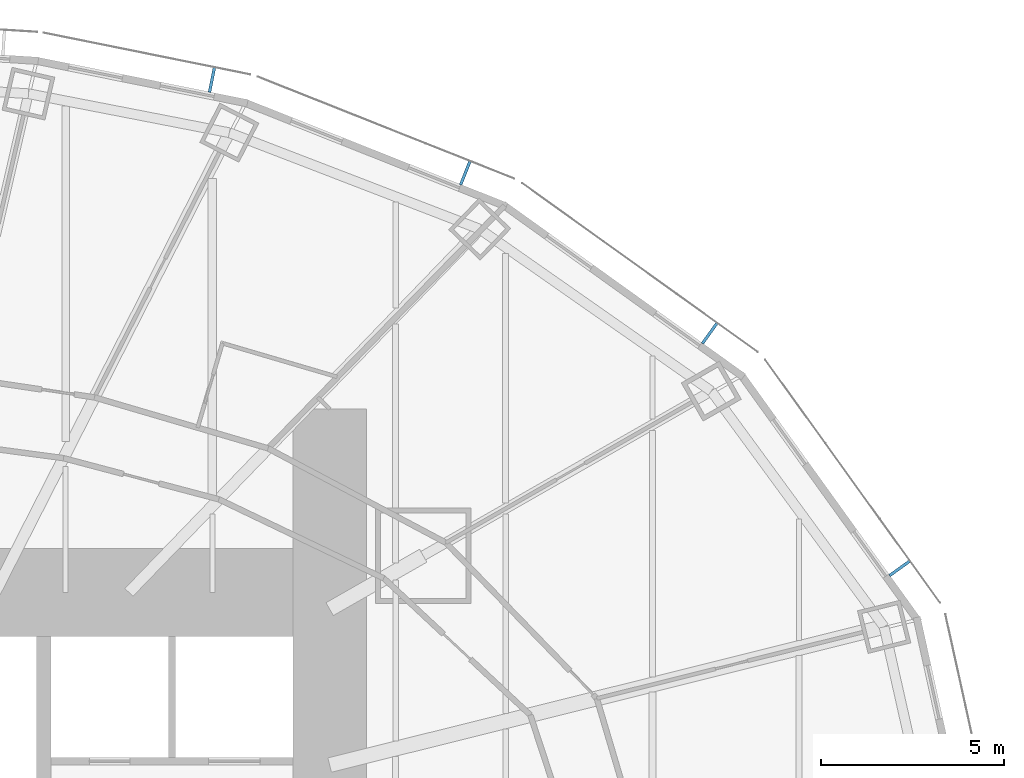
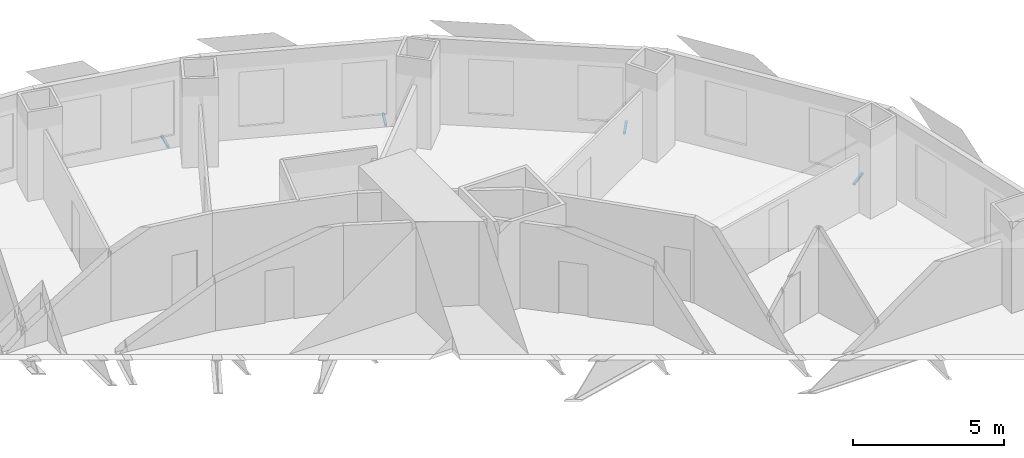
# One storey, part 12 of 15: 4 discrete accessories.
"""IFC4 building model written with IfcOpenShell, lengths in metres."""

from ifc_helpers import new_model, si_unit, direction, frame, origin, origin_2d, place, context, subcontext, project, spatial, rectangle, extrude, element, save


model = new_model("IFC4")

# Units and contexts
model_context = context("Model", 3, precision=1e-05, world=origin(), true_north=direction((0.0, 1.0)))
body_context = subcontext(model_context, "Body", "Model", "MODEL_VIEW")
ifc_project = project(units=[si_unit("LENGTHUNIT", "METRE"), si_unit("AREAUNIT", "SQUARE_METRE"), si_unit("VOLUMEUNIT", "CUBIC_METRE"), si_unit("PLANEANGLEUNIT", "RADIAN"), si_unit("MASSUNIT", "GRAM", prefix="KILO")], contexts=[model_context])

# Site, building, storey
site_placement = place(None, origin())
site = spatial("IfcSite", under=ifc_project, at=site_placement, CompositionType="ELEMENT")
building_placement = place(site_placement, origin())
building = spatial("IfcBuilding", under=site, at=building_placement, Name="Lantaw Convention Tower", CompositionType="ELEMENT")
storey_placement = place(building_placement, frame((0.0, 0.0, 80.199951171875)))
storey = spatial("IfcBuildingStorey", under=building, at=storey_placement, Name="L18", CompositionType="ELEMENT", Elevation=80.199951171875)

# Discrete accessories
for number, where, z_axis, x_axis, name in (
    (1, (28.745849609375, 8.65869140625, -0.114990234375), (0.0, 0.0, 1.0), (-0.583951250436, 0.811788726895, 0.0), "Screen bracket"),
    (2, (23.564453125, 15.06640625, -0.114990234375), (0.0, 0.0, 1.0), (-0.812803733199, 0.5825376308, 0.0), "Screen bracket"),
    (3, (16.898193359375, 19.4345703125, -0.114990234375), (0.0, 0.0, 1.0), (-0.929361152748, 0.369171840425, 0.0), "Screen bracket"),
    (4, (9.990478515625, 21.974365234375, -0.114990234375), (0.0, 0.0, 1.0), (-0.980244604501, 0.197789067813, 0.0), "Screen bracket"),
):
    element("IfcDiscreteAccessory", number, at=place(storey_placement, frame(where, z_axis=z_axis, x_axis=x_axis)), inside=storey, Name=name, PredefinedType="BRACKET", context=body_context, shape_type="SweptSolid", body=[
        extrude(rectangle(XDim=0.080078125, YDim=0.68798828125, at=origin_2d()), origin(), (0.0, 0.0, 1.0), 0.080078125),
    ])

save(model, "model.ifc")
